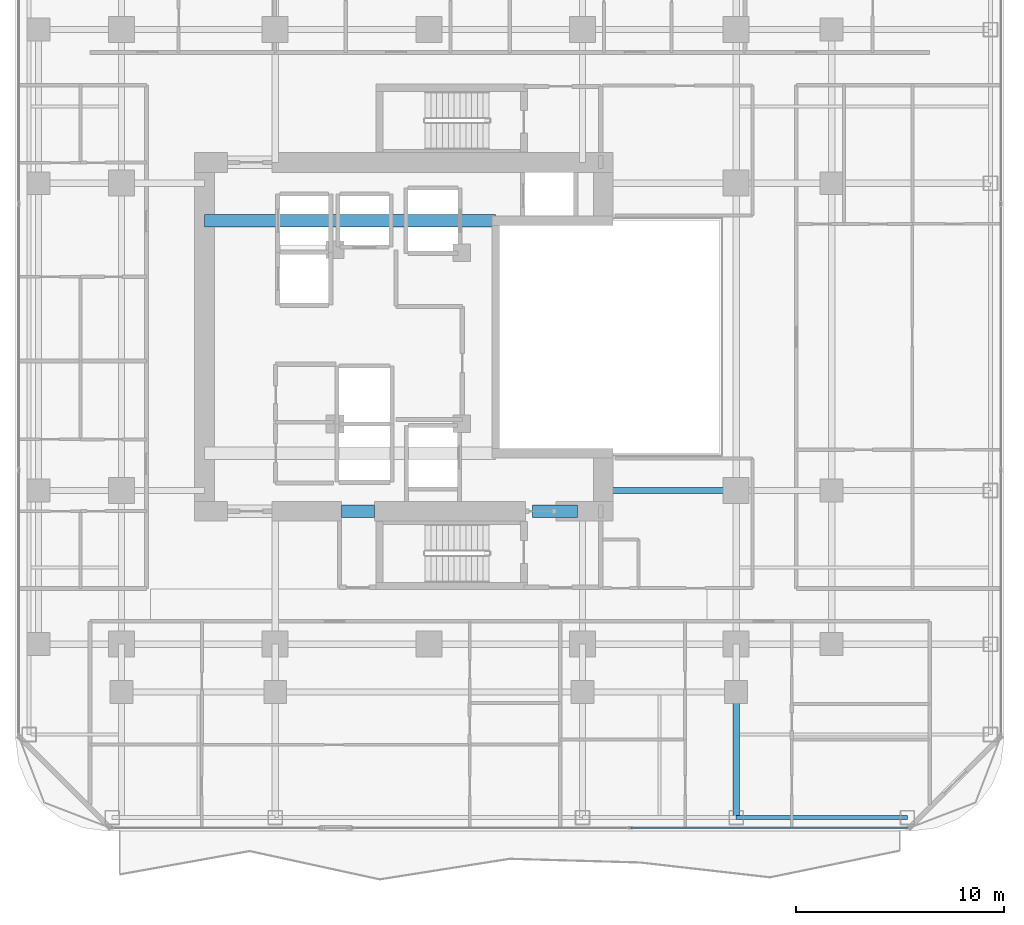
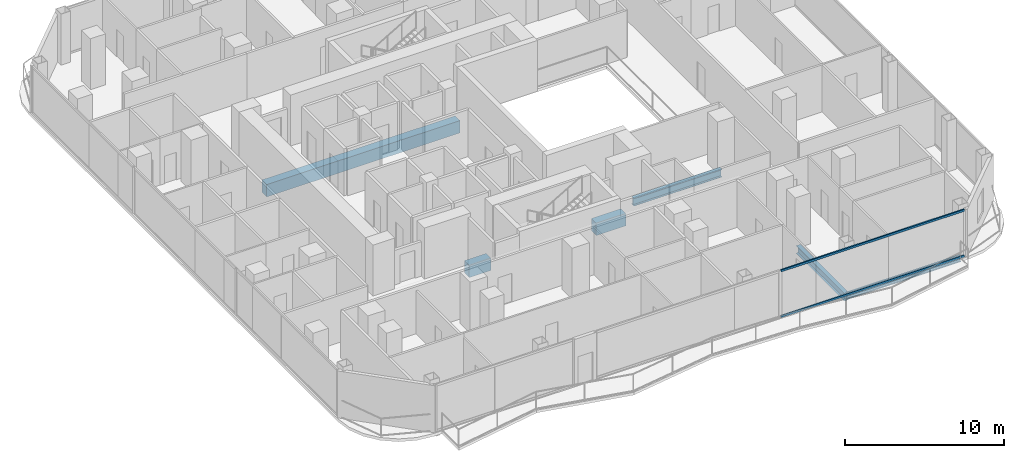
# One storey, part 9 of 27: 6 beams, 2 members, 1 element without a shape of its own.
"""IFC4 building model written with IfcOpenShell, lengths in metres."""

from ifc_helpers import new_model, si_unit, direction, frame, origin, origin_2d, place, context, subcontext, project, spatial, rectangle, hollow_rectangle, i_section, extrude, material, layer, layer_set, material_profile, profile_set, type_object, element, aggregate, save


model = new_model("IFC4")

# Units and contexts
model_context = context("Model", 3, precision=1e-05, world=origin(), true_north=direction((0.0, 1.0)))
body_context = subcontext(model_context, "Body", "Model", "MODEL_VIEW")
ifc_project = project(units=[si_unit("LENGTHUNIT", "METRE"), si_unit("AREAUNIT", "SQUARE_METRE"), si_unit("VOLUMEUNIT", "CUBIC_METRE"), si_unit("PLANEANGLEUNIT", "RADIAN"), si_unit("MASSUNIT", "GRAM", prefix="KILO")], contexts=[model_context])

# Site, building, storey
site_placement = place(None, origin())
site = spatial("IfcSite", under=ifc_project, at=site_placement, CompositionType="ELEMENT")
building_placement = place(site_placement, origin())
building = spatial("IfcBuilding", under=site, at=building_placement, Name="Khorvyn Point Tower", CompositionType="ELEMENT")
storey_placement = place(building_placement, frame((0.0, 0.0, 152.39990234375)))
storey = spatial("IfcBuildingStorey", under=building, at=storey_placement, Name="L38", CompositionType="ELEMENT", Elevation=152.39990234375)

# Curtain wall, members
ifc_material_1 = material(Name="Anodised aluminium 6063-T6 and laminated Low-E glass", Category="aluminium")
ifc_layer = layer(ifc_material_1, 0.18994140625)
ifc_layer_set = layer_set([ifc_layer], Name="Stick-Built Acoustic Curtain Wall CW-SYS-03")
curtain_wall_type = type_object("IfcCurtainWallType", Name="Stick-Built Acoustic Curtain Wall CW-SYS-03", PredefinedType="NOTDEFINED", material=ifc_layer_set)
curtain_wall_placement = place(storey_placement, origin())
curtain_wall = element("IfcCurtainWall", 1, at=curtain_wall_placement, inside=storey, type_object=curtain_wall_type, Name="Curtain Wall", PredefinedType="NOTDEFINED")
ifc_material_2 = material(Name="Anodised aluminium 6063-T6", Category="aluminium")
ifc_material_profile_1 = material_profile(ifc_material_2, hollow_rectangle(XDim=0.10009765625, YDim=0.159912109375, WallThickness=0.00439453125, at=origin_2d()))
ifc_profile_set_1 = profile_set([ifc_material_profile_1], Name="Anodised aluminium 6063-T6 ALU-TRN-100x160")
member_type = type_object("IfcMemberType", Name="Anodised Aluminium 6063-T6 Transom ALU-TRN-100x160", PredefinedType="USERDEFINED", material=ifc_profile_set_1)
member_1_placement = place(storey_placement, frame((23.050048828125, -23.64990234375, 0.050048828125), z_axis=(-1.0, 0.0, 0.0), x_axis=(0.0, -1.0, 0.0)))
member_1 = element("IfcMember", 2, at=member_1_placement, type_object=member_type, Name="Transom", ObjectType="TRANSOM", PredefinedType="USERDEFINED", context=body_context, shape_type="SweptSolid", body=[
    extrude(hollow_rectangle(XDim=0.10009765625, YDim=0.159912109375, WallThickness=0.00439453125, at=origin_2d()), origin(), (0.0, 0.0, 1.0), 13.3056640625),
])
member_2_placement = place(storey_placement, frame((23.050048828125, -23.64990234375, 3.550048828125), z_axis=(-1.0, 0.0, 0.0), x_axis=(0.0, -1.0, 0.0)))
member_2 = element("IfcMember", 3, at=member_2_placement, type_object=member_type, Name="Transom", ObjectType="TRANSOM", PredefinedType="USERDEFINED", context=body_context, shape_type="SweptSolid", body=[
    extrude(hollow_rectangle(XDim=0.10009765625, YDim=0.159912109375, WallThickness=0.00439453125, at=origin_2d()), origin(), (0.0, 0.0, 1.0), 13.3056640625),
])
aggregate(curtain_wall, [member_1, member_2])

# Beams
ifc_material_3 = material(Name="Concrete C50/60", Category="concrete")
ifc_material_profile_2 = material_profile(ifc_material_3, rectangle(XDim=0.60009765625, YDim=0.949951171875, at=origin_2d()))
ifc_profile_set_2 = profile_set([ifc_material_profile_2], Name="Concrete C50/60 RC600x950")
beam_type_1 = type_object("IfcBeamType", Name="Concrete C50/60 Beam RC600x950", PredefinedType="BEAM", material=ifc_profile_set_2)
beam_1_placement = place(storey_placement, frame((-10.800048828125, 5.60009765625, -0.69482421875), z_axis=(1.0, 0.0, 0.0), x_axis=(0.0, 1.0, 0.0)))
element("IfcBeam", 4, at=beam_1_placement, inside=storey, type_object=beam_type_1, Name="L38 Core Internal Tie Girder N", PredefinedType="BEAM", context=body_context, shape_type="SweptSolid", body=[
    extrude(rectangle(XDim=0.60009765625, YDim=0.949951171875, at=origin_2d()), origin(), (0.0, 0.0, 1.0), 14.02001953125),
])
beam_2_placement = place(storey_placement, frame((-4.199951171875, -8.39990234375, -0.69482421875), z_axis=(1.0, 0.0, 0.0), x_axis=(0.0, 1.0, 0.0)))
element("IfcBeam", 5, at=beam_2_placement, inside=storey, type_object=beam_type_1, Name="L38 Core Shuttle Portal Coupling Beam", PredefinedType="BEAM", context=body_context, shape_type="SweptSolid", body=[
    extrude(rectangle(XDim=0.60009765625, YDim=0.949951171875, at=origin_2d()), origin(), (0.0, 0.0, 1.0), 1.579833984375),
])
beam_3_placement = place(storey_placement, frame((5.0, -8.39990234375, -0.69482421875), z_axis=(1.0, 0.0, 0.0), x_axis=(0.0, 1.0, 0.0)))
element("IfcBeam", 6, at=beam_3_placement, inside=storey, type_object=beam_type_1, Name="L38 Core Southeast Portal Coupling Beam", PredefinedType="BEAM", context=body_context, shape_type="SweptSolid", body=[
    extrude(rectangle(XDim=0.60009765625, YDim=0.949951171875, at=origin_2d()), origin(), (0.0, 0.0, 1.0), 2.14990234375),
])
ifc_material_4 = material(Name="Steel S355", Category="steel")
ifc_material_profile_3 = material_profile(ifc_material_4, i_section(OverallWidth=0.300048828125, OverallDepth=0.587890625, WebThickness=0.011962890625, FlangeThickness=0.02001953125, at=origin_2d()))
ifc_profile_set_3 = profile_set([ifc_material_profile_3], Name="Steel S355 H588x300x12x20")
beam_type_2 = type_object("IfcBeamType", Name="Steel S355 Beam H588x300x12x20", PredefinedType="BEAM", material=ifc_profile_set_3)
beam_4_placement = place(storey_placement, frame((8.39990234375, -7.39990234375, -0.513916015625), z_axis=(1.0, 0.0, 0.0), x_axis=(0.0, 1.0, 0.0)))
element("IfcBeam", 7, at=beam_4_placement, inside=storey, type_object=beam_type_2, Name="Beam", PredefinedType="BEAM", context=body_context, shape_type="SweptSolid", body=[
    extrude(i_section(OverallWidth=0.300048828125, OverallDepth=0.587890625, WebThickness=0.011962890625, FlangeThickness=0.02001953125, at=origin_2d()), origin(), (0.0, 0.0, 1.0), 6.400146484375),
])
beam_5_placement = place(storey_placement, frame((14.800048828125, -23.14990234375, -0.513916015625), z_axis=(0.0, 1.0, 0.0), x_axis=(-1.0, 0.0, 0.0)))
element("IfcBeam", 8, at=beam_5_placement, inside=storey, type_object=beam_type_2, Name="Beam", PredefinedType="BEAM", context=body_context, shape_type="SweptSolid", body=[
    extrude(i_section(OverallWidth=0.300048828125, OverallDepth=0.587890625, WebThickness=0.011962890625, FlangeThickness=0.02001953125, at=origin_2d()), origin(), (0.0, 0.0, 1.0), 6.0498046875),
])
ifc_material_profile_4 = material_profile(ifc_material_4, i_section(OverallWidth=0.199951171875, OverallDepth=0.449951171875, WebThickness=0.009033203125, FlangeThickness=0.013916015625, at=origin_2d()))
ifc_profile_set_4 = profile_set([ifc_material_profile_4], Name="Steel S355 H450x200x9x14")
beam_type_3 = type_object("IfcBeamType", Name="Steel S355 Spandrel H450x200x9x14", PredefinedType="SPANDREL", material=ifc_profile_set_4)
beam_6_placement = place(storey_placement, frame((14.800048828125, -23.14990234375, -0.44482421875), z_axis=(1.0, 0.0, 0.0), x_axis=(0.0, 1.0, 0.0)))
element("IfcBeam", 9, at=beam_6_placement, inside=storey, type_object=beam_type_3, Name="Beam", PredefinedType="SPANDREL", context=body_context, shape_type="SweptSolid", body=[
    extrude(i_section(OverallWidth=0.199951171875, OverallDepth=0.449951171875, WebThickness=0.009033203125, FlangeThickness=0.013916015625, at=origin_2d()), origin(), (0.0, 0.0, 1.0), 8.25),
])

save(model, "model.ifc")
